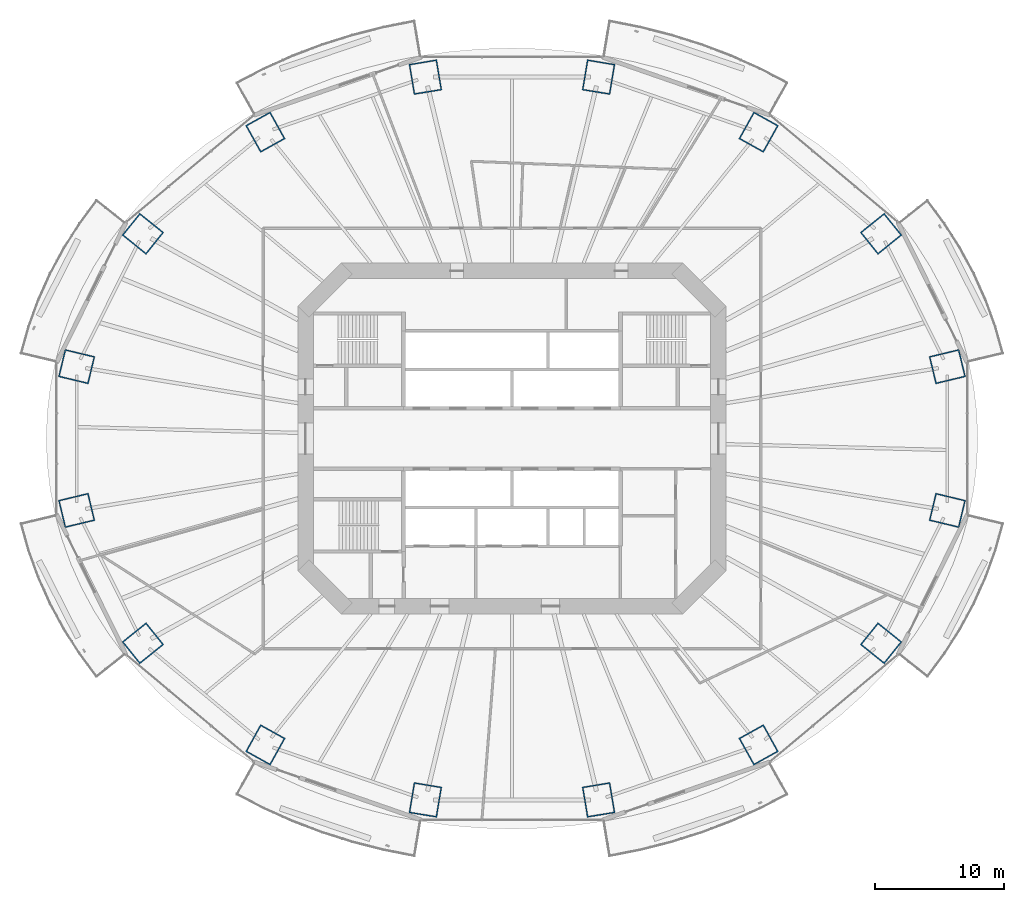
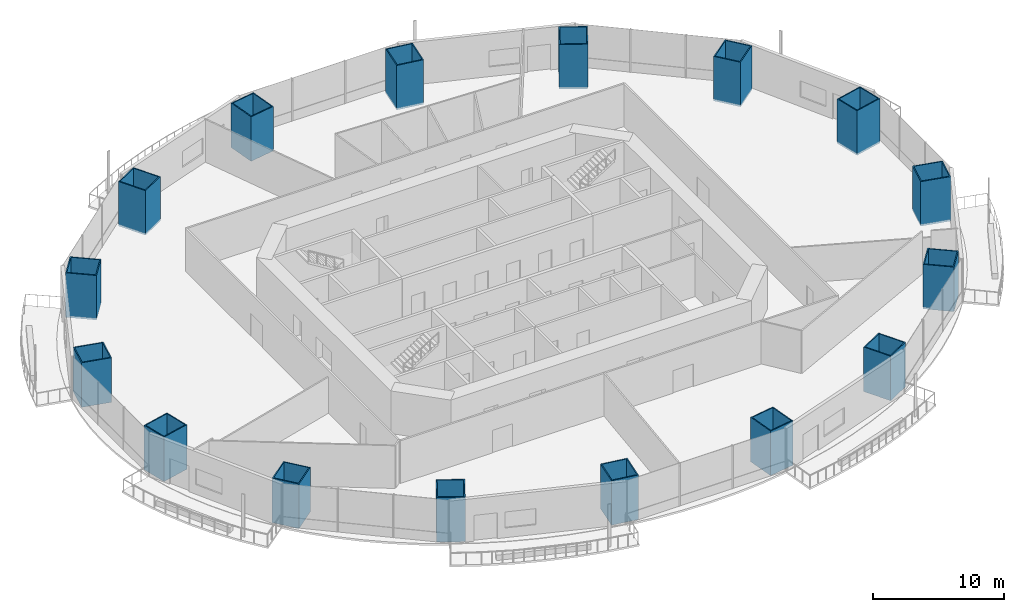
# One storey, part 1 of 23: 16 columns.
"""IFC4 building model written with IfcOpenShell, lengths in metres."""

from ifc_helpers import new_model, si_unit, direction, frame, origin, origin_2d, place, context, subcontext, project, spatial, rectangle, hollow_rectangle, extrude, material, material_profile, profile_set, type_object, element, save


model = new_model("IFC4")

# Units and contexts
model_context = context("Model", 3, precision=1e-05, world=origin(), true_north=direction((0.0, 1.0)))
body_context = subcontext(model_context, "Body", "Model", "MODEL_VIEW")
ifc_project = project(units=[si_unit("LENGTHUNIT", "METRE"), si_unit("AREAUNIT", "SQUARE_METRE"), si_unit("VOLUMEUNIT", "CUBIC_METRE"), si_unit("PLANEANGLEUNIT", "RADIAN"), si_unit("MASSUNIT", "GRAM", prefix="KILO")], contexts=[model_context])

# Site, building, storey
site_placement = place(None, origin())
site = spatial("IfcSite", under=ifc_project, at=site_placement, CompositionType="ELEMENT")
building_placement = place(site_placement, origin())
building = spatial("IfcBuilding", under=site, at=building_placement, Name="Marenthal Gate Tower", CompositionType="ELEMENT")
storey_placement = place(building_placement, frame((0.0, 0.0, 66.199951171875)))
storey = spatial("IfcBuildingStorey", under=building, at=storey_placement, Name="L12", CompositionType="ELEMENT", Elevation=66.199951171875)

# Columns
ifc_material_1 = material(Name="Steel S460", Category="steel")
ifc_material_profile_1 = material_profile(ifc_material_1, hollow_rectangle(XDim=2.199951171875, YDim=2.39990234375, WallThickness=0.090087890625, at=origin_2d()), Name="CFT BOX 2400X2200X90")
ifc_material_2 = material(Name="Concrete 70 MPa", Category="concrete")
ifc_material_profile_2 = material_profile(ifc_material_2, rectangle(XDim=2.02001953125, YDim=2.219970703125, at=origin_2d()), Name="CFT BOX 2400X2200X90 INFILL")
ifc_profile_set = profile_set([ifc_material_profile_1, ifc_material_profile_2], Name="Steel S460 shell, Concrete 70 MPa infill")
column_type = type_object("IfcColumnType", Name="CFT BOX 2400X2200X90", PredefinedType="COLUMN", material=ifc_profile_set)
for number, where, z_axis, x_axis, name in (
    (1, (33.753662109375, 5.573486328125, -0.179931640625), (0.0, 0.0, 1.0), (0.233019367947, -0.972472094284, 0.0), "COL-L12-01"),
    (2, (28.614990234375, 15.8720703125, -0.179931640625), (0.0, 0.0, 1.0), (0.627022662824, -0.779001014316, 0.0), "COL-L12-02"),
    (3, (19.119873046875, 23.75439453125, -0.179931640625), (0.0, 0.0, 1.0), (0.874483442073, -0.4850553675, 0.0), "COL-L12-03"),
    (4, (6.714111328125, 28.02001953125, -0.179931640625), (0.0, 0.0, 1.0), (0.98663963585, -0.16291785958, 0.0), "COL-L12-04"),
    (5, (-6.714111328125, 28.02001953125, -0.179931640625), (0.0, 0.0, 1.0), (0.98663963585, 0.16291785958, 0.0), "COL-L12-05"),
    (6, (-19.119873046875, 23.75439453125, -0.179931640625), (0.0, 0.0, 1.0), (0.874483442073, 0.4850553675, 0.0), "COL-L12-06"),
    (7, (-28.614990234375, 15.8720703125, -0.179931640625), (0.0, 0.0, 1.0), (0.627022662824, 0.779001014316, 0.0), "COL-L12-07"),
    (8, (-33.753662109375, 5.573486328125, -0.179931640625), (0.0, 0.0, 1.0), (0.233019367947, 0.972472094284, 0.0), "COL-L12-08"),
    (9, (-33.753662109375, -5.573486328125, -0.179931640625), (0.0, 0.0, 1.0), (-0.233019367947, 0.972472094284, 0.0), "COL-L12-09"),
    (10, (-28.614990234375, -15.8720703125, -0.179931640625), (0.0, 0.0, 1.0), (-0.627022662824, 0.779001014316, 0.0), "COL-L12-10"),
    (11, (-19.119873046875, -23.75439453125, -0.179931640625), (0.0, 0.0, 1.0), (-0.874483442073, 0.4850553675, 0.0), "COL-L12-11"),
    (12, (-6.714111328125, -28.02001953125, -0.179931640625), (0.0, 0.0, 1.0), (-0.98663963585, 0.16291785958, 0.0), "COL-L12-12"),
    (13, (6.714111328125, -28.02001953125, -0.179931640625), (0.0, 0.0, 1.0), (-0.98663963585, -0.16291785958, 0.0), "COL-L12-13"),
    (14, (19.119873046875, -23.75439453125, -0.179931640625), (0.0, 0.0, 1.0), (-0.874483442073, -0.4850553675, 0.0), "COL-L12-14"),
    (15, (28.614990234375, -15.8720703125, -0.179931640625), (0.0, 0.0, 1.0), (-0.627022662824, -0.779001014316, 0.0), "COL-L12-15"),
    (16, (33.753662109375, -5.573486328125, -0.179931640625), (0.0, 0.0, 1.0), (-0.233019367947, -0.972472094284, 0.0), "COL-L12-16"),
):
    element("IfcColumn", number, at=place(storey_placement, frame(where, z_axis=z_axis, x_axis=x_axis)), inside=storey, type_object=column_type, Name=name, PredefinedType="COLUMN", context=body_context, shape_type="SweptSolid", body=[
        extrude(hollow_rectangle(XDim=2.199951171875, YDim=2.39990234375, WallThickness=0.090087890625, at=origin_2d()), origin(), (0.0, 0.0, 1.0), 4.14990234375),
    ])

save(model, "model.ifc")
